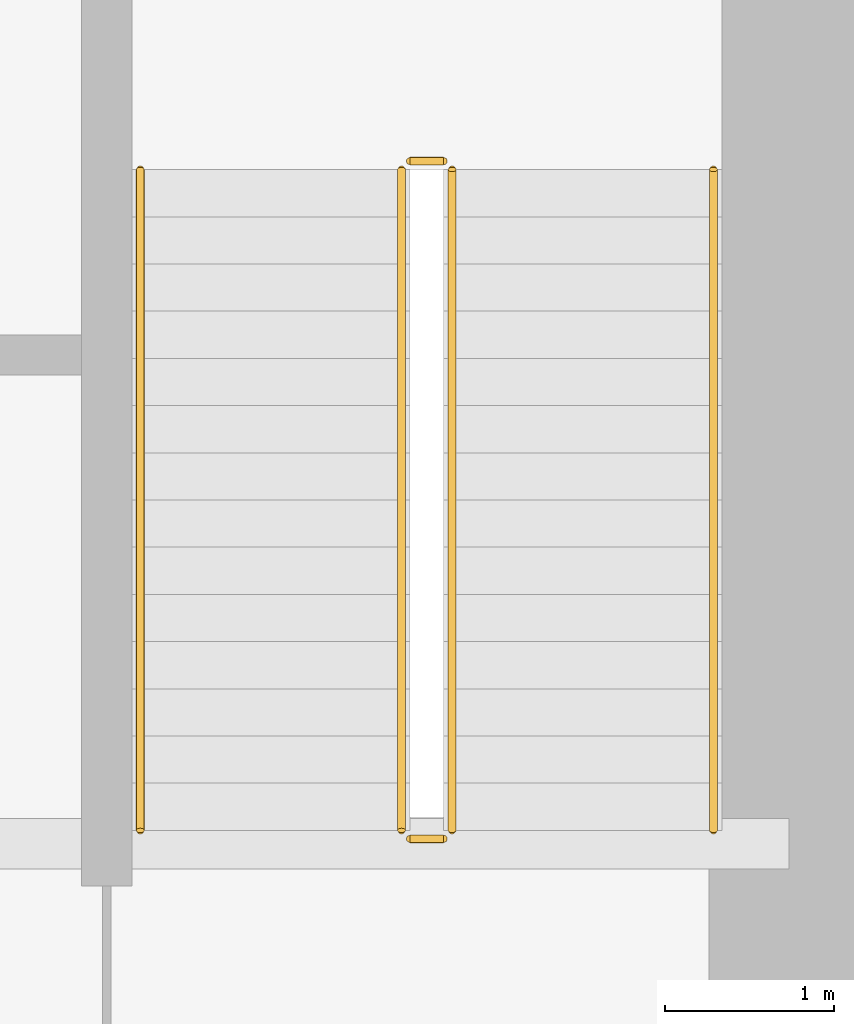
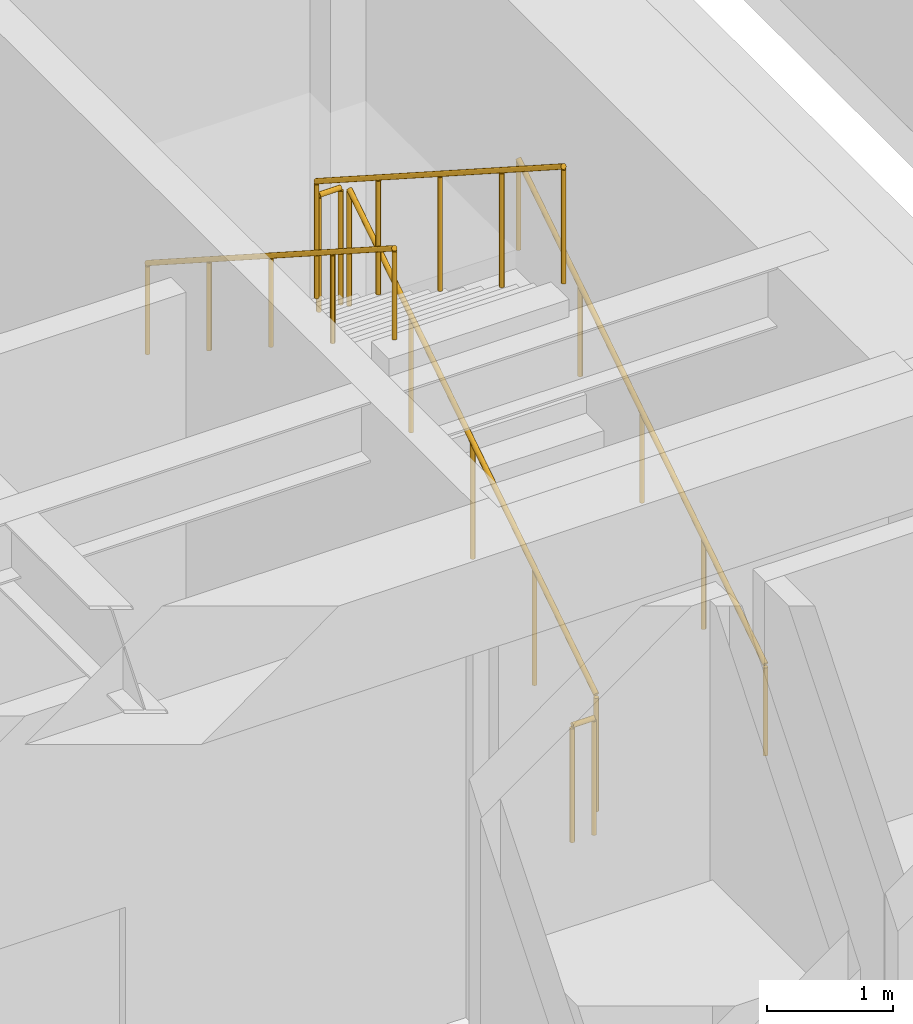
# One storey, part 27 of 28: 6 railings.
"""IFC4 building model written with IfcOpenShell, lengths in metres."""

from ifc_helpers import new_model, si_unit, direction, frame, origin, origin_2d, place, context, subcontext, project, spatial, circle, extrude, source, transform, mapped, material, type_object, type_shapes, element, save


model = new_model("IFC4")

# Units and contexts
model_context = context("Model", 3, precision=1e-05, world=origin(), true_north=direction((0.0, 1.0)))
body_context = subcontext(model_context, "Body", "Model", "MODEL_VIEW")
ifc_project = project(units=[si_unit("LENGTHUNIT", "METRE"), si_unit("AREAUNIT", "SQUARE_METRE"), si_unit("VOLUMEUNIT", "CUBIC_METRE"), si_unit("PLANEANGLEUNIT", "RADIAN"), si_unit("MASSUNIT", "GRAM", prefix="KILO")], contexts=[model_context])

# Site, building, storey
site_placement = place(None, origin())
site = spatial("IfcSite", under=ifc_project, at=site_placement, CompositionType="ELEMENT")
building_placement = place(site_placement, origin())
building = spatial("IfcBuilding", under=site, at=building_placement, Name="Haelvirn Gate Laboratories", CompositionType="ELEMENT")
storey_placement = place(building_placement, origin())
storey = spatial("IfcBuildingStorey", under=building, at=storey_placement, Name="L01", CompositionType="ELEMENT", Elevation=0.0)

# Railings
ifc_material_1 = material(Name="Galvanised steel SM355 & stainless top rail", Category="steel")
railing_type_1 = type_object("IfcRailingType", Name="RL-GUARD-1150", PredefinedType="GUARDRAIL", material=ifc_material_1)
shared_shape_1 = source(origin(), body_context, "Body", "SweptSolid", [
    extrude(circle(Radius=0.02392578125, at=origin_2d()), frame((0.0, 0.0, 1.1259765625), z_axis=(0.0, 0.841186985886, 0.540744352514), x_axis=(-1.0, 0.0, 0.0)), (0.0, 0.0, 1.0), 4.660400390625),
    extrude(circle(Radius=0.02099609375, at=origin_2d()), origin(), (0.0, 0.0, 1.0), 1.101806640625),
    extrude(circle(Radius=0.02099609375, at=origin_2d()), frame((0.0, 0.97998046875, 0.6298828125)), (0.0, 0.0, 1.0), 1.101806640625),
    extrude(circle(Radius=0.02099609375, at=origin_2d()), frame((0.0, 1.9599609375, 1.260009765625)), (0.0, 0.0, 1.0), 1.101806640625),
    extrude(circle(Radius=0.02099609375, at=origin_2d()), frame((0.0, 2.940185546875, 1.89013671875)), (0.0, 0.0, 1.0), 1.101806640625),
    extrude(circle(Radius=0.02099609375, at=origin_2d()), frame((0.0, 3.920166015625, 2.52001953125)), (0.0, 0.0, 1.0), 1.101806640625),
])
railing_1_placement = place(storey_placement, frame((65.39990234375, 26.699951171875, 0.179931640625)))
element("IfcRailing", 1, at=railing_1_placement, inside=storey, type_object=railing_type_1, Name="L01 ST2 stair guard 1", PredefinedType="GUARDRAIL", context=body_context, shape_type="MappedRepresentation", body=[
    mapped(shared_shape_1, transform((0.0, 0.0, 0.0), scale=1.0)),
])
shared_shape_2 = source(origin(), body_context, "Body", "SweptSolid", [
    extrude(circle(Radius=0.02392578125, at=origin_2d()), frame((0.0, 0.0, 1.1259765625), z_axis=(0.0, -0.841186985886, 0.540744352514), x_axis=(1.0, 0.0, 0.0)), (0.0, 0.0, 1.0), 4.660400390625),
    extrude(circle(Radius=0.02099609375, at=origin_2d()), origin(), (0.0, 0.0, 1.0), 1.101806640625),
    extrude(circle(Radius=0.02099609375, at=origin_2d()), frame((0.0, -0.97998046875, 0.6298828125)), (0.0, 0.0, 1.0), 1.101806640625),
    extrude(circle(Radius=0.02099609375, at=origin_2d()), frame((0.0, -1.9599609375, 1.260009765625)), (0.0, 0.0, 1.0), 1.101806640625),
    extrude(circle(Radius=0.02099609375, at=origin_2d()), frame((0.0, -2.940185546875, 1.89013671875)), (0.0, 0.0, 1.0), 1.101806640625),
    extrude(circle(Radius=0.02099609375, at=origin_2d()), frame((0.0, -3.920166015625, 2.52001953125)), (0.0, 0.0, 1.0), 1.101806640625),
])
railing_2_placement = place(storey_placement, frame((65.10009765625, 30.6201171875, 2.8798828125)))
element("IfcRailing", 2, at=railing_2_placement, inside=storey, type_object=railing_type_1, Name="L01 ST2 stair guard 3", PredefinedType="GUARDRAIL", context=body_context, shape_type="MappedRepresentation", body=[
    mapped(shared_shape_2, transform((0.0, 0.0, 0.0), scale=1.0)),
])
ifc_material_2 = material(Name="Brushed stainless steel 316L", Category="steel")
railing_type_2 = type_object("IfcRailingType", Name="RL-HAND-920", PredefinedType="HANDRAIL", material=ifc_material_2)
shared_shape_3 = source(origin(), body_context, "Body", "SweptSolid", [
    extrude(circle(Radius=0.02392578125, at=origin_2d()), frame((0.0, 0.0, 0.8759765625), z_axis=(0.0, 0.841186985886, 0.540744352514), x_axis=(-1.0, 0.0, 0.0)), (0.0, 0.0, 1.0), 4.660400390625),
    extrude(circle(Radius=0.02099609375, at=origin_2d()), origin(), (0.0, 0.0, 1.0), 0.851806640625),
    extrude(circle(Radius=0.02099609375, at=origin_2d()), frame((0.0, 0.97998046875, 0.6298828125)), (0.0, 0.0, 1.0), 0.851806640625),
    extrude(circle(Radius=0.02099609375, at=origin_2d()), frame((0.0, 1.9599609375, 1.260009765625)), (0.0, 0.0, 1.0), 0.851806640625),
    extrude(circle(Radius=0.02099609375, at=origin_2d()), frame((0.0, 2.940185546875, 1.89013671875)), (0.0, 0.0, 1.0), 0.851806640625),
    extrude(circle(Radius=0.02099609375, at=origin_2d()), frame((0.0, 3.920166015625, 2.52001953125)), (0.0, 0.0, 1.0), 0.851806640625),
])
railing_3_placement = place(storey_placement, frame((66.949951171875, 26.699951171875, 0.179931640625)))
element("IfcRailing", 3, at=railing_3_placement, inside=storey, type_object=railing_type_2, Name="L01 ST2 stair handrail 1", PredefinedType="HANDRAIL", context=body_context, shape_type="MappedRepresentation", body=[
    mapped(shared_shape_3, transform((0.0, 0.0, 0.0), scale=1.0)),
])
shared_shape_4 = source(origin(), body_context, "Body", "SweptSolid", [
    extrude(circle(Radius=0.02392578125, at=origin_2d()), frame((0.0, 0.0, 0.8759765625), z_axis=(0.0, -0.841186985886, 0.540744352514), x_axis=(1.0, 0.0, 0.0)), (0.0, 0.0, 1.0), 4.660400390625),
    extrude(circle(Radius=0.02099609375, at=origin_2d()), origin(), (0.0, 0.0, 1.0), 0.851806640625),
    extrude(circle(Radius=0.02099609375, at=origin_2d()), frame((0.0, -0.97998046875, 0.6298828125)), (0.0, 0.0, 1.0), 0.851806640625),
    extrude(circle(Radius=0.02099609375, at=origin_2d()), frame((0.0, -1.9599609375, 1.260009765625)), (0.0, 0.0, 1.0), 0.851806640625),
    extrude(circle(Radius=0.02099609375, at=origin_2d()), frame((0.0, -2.940185546875, 1.89013671875)), (0.0, 0.0, 1.0), 0.851806640625),
    extrude(circle(Radius=0.02099609375, at=origin_2d()), frame((0.0, -3.920166015625, 2.52001953125)), (0.0, 0.0, 1.0), 0.851806640625),
])
type_shapes(railing_type_2, [shared_shape_3, shared_shape_4])
railing_4_placement = place(storey_placement, frame((63.550048828125, 30.6201171875, 2.8798828125)))
element("IfcRailing", 4, at=railing_4_placement, inside=storey, type_object=railing_type_2, Name="L01 ST2 stair handrail 2", PredefinedType="HANDRAIL", context=body_context, shape_type="MappedRepresentation", body=[
    mapped(shared_shape_4, transform((0.0, 0.0, 0.0), scale=1.0)),
])
shared_shape_5 = source(origin(), body_context, "Body", "SweptSolid", [
    extrude(circle(Radius=0.02392578125, at=origin_2d()), frame((0.0, 0.0, 1.1259765625), z_axis=(-1.0, 0.0, 0.0), x_axis=(0.0, -1.0, 0.0)), (0.0, 0.0, 1.0), 0.2001953125),
    extrude(circle(Radius=0.02099609375, at=origin_2d()), origin(), (0.0, 0.0, 1.0), 1.101806640625),
    extrude(circle(Radius=0.02099609375, at=origin_2d()), frame((-0.2001953125, 0.0, 0.0)), (0.0, 0.0, 1.0), 1.101806640625),
])
type_shapes(railing_type_1, [shared_shape_1, shared_shape_2, shared_shape_5])
for number, where, name in (
    (5, (65.35009765625, 30.669921875, 2.699951171875), "L01 ST2 stair guard 2"),
    (6, (65.35009765625, 26.64990234375, 0.0), "L01 ST2 stair guard 4"),
):
    element("IfcRailing", number, at=place(storey_placement, frame(where)), inside=storey, type_object=railing_type_1, Name=name, PredefinedType="GUARDRAIL", context=body_context, shape_type="MappedRepresentation", body=[
        mapped(shared_shape_5, transform((0.0, 0.0, 0.0), scale=1.0)),
    ])

save(model, "model.ifc")
